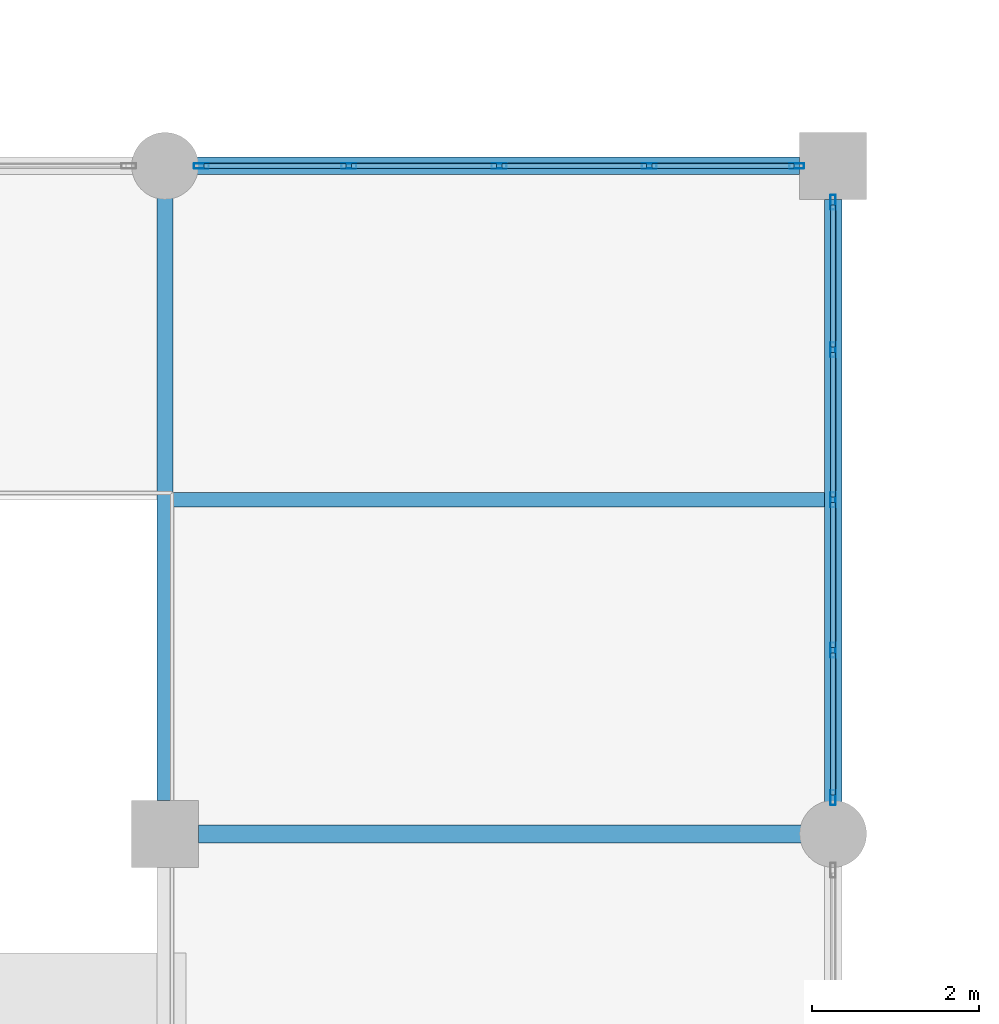
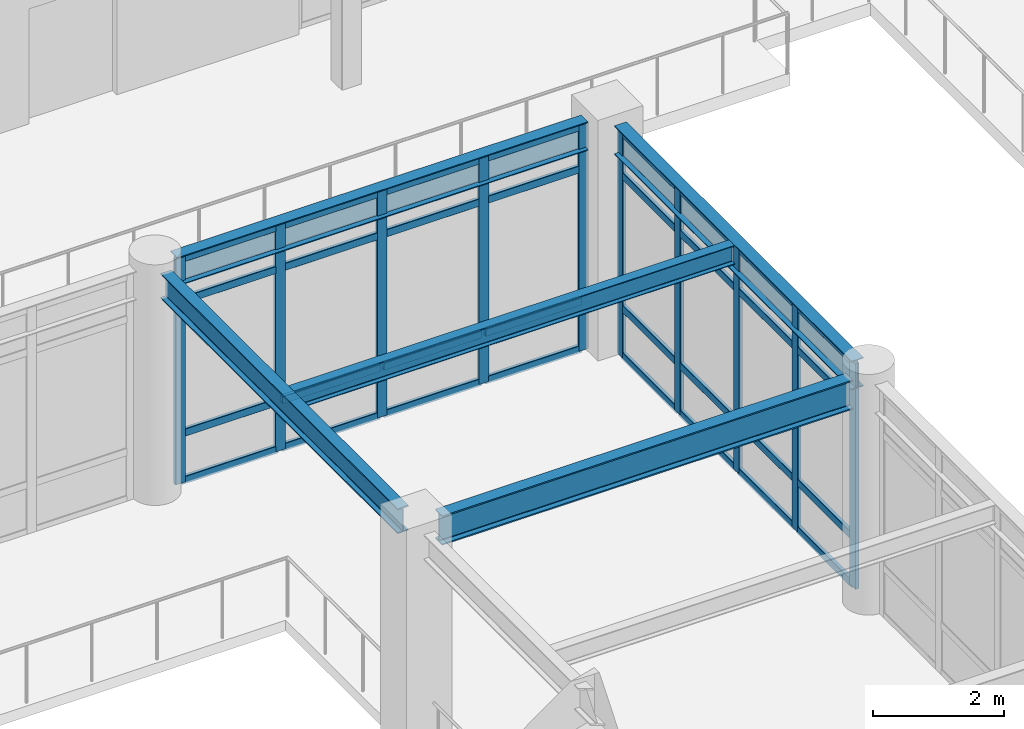
# One storey, part 54 of 111: 42 members, 5 beams, 2 elements without a shape of their own.
"""IFC4 building model written with IfcOpenShell, lengths in metres."""

from ifc_helpers import new_model, si_unit, direction, frame, origin, origin_2d, place, context, subcontext, project, spatial, hollow_rectangle, i_section, extrude, material, material_profile, profile_set, type_object, element, aggregate, save


model = new_model("IFC4")

# Units and contexts
model_context = context("Model", 3, precision=1e-05, world=origin(), true_north=direction((0.0, 1.0)))
body_context = subcontext(model_context, "Body", "Model", "MODEL_VIEW")
ifc_project = project(units=[si_unit("LENGTHUNIT", "METRE"), si_unit("AREAUNIT", "SQUARE_METRE"), si_unit("VOLUMEUNIT", "CUBIC_METRE"), si_unit("PLANEANGLEUNIT", "RADIAN"), si_unit("MASSUNIT", "GRAM", prefix="KILO")], contexts=[model_context])

# Site, building, storey
site_placement = place(None, origin())
site = spatial("IfcSite", under=ifc_project, at=site_placement, CompositionType="ELEMENT")
building_placement = place(site_placement, origin())
building = spatial("IfcBuilding", under=site, at=building_placement, Name="Solmirada Galleria", CompositionType="ELEMENT")
storey_placement = place(building_placement, frame((0.0, 0.0, 10.39990234375)))
storey = spatial("IfcBuildingStorey", under=building, at=storey_placement, Name="L02", CompositionType="ELEMENT", Elevation=10.39990234375)

# Beams
ifc_material_1 = material(Name="Steel S355 / ASTM A992 Grade 50", Category="steel")
ifc_material_profile_1 = material_profile(ifc_material_1, i_section(OverallWidth=0.194091796875, OverallDepth=0.468994140625, WebThickness=0.0126953125, FlangeThickness=0.0205078125, FilletRadius=0.013916015625, at=origin_2d()), Name="W18X71")
ifc_profile_set_1 = profile_set([ifc_material_profile_1], Name="Steel S355 / ASTM A992 Grade 50")
beam_type_1 = type_object("IfcBeamType", Name="BM-GIRD-W18B", PredefinedType="BEAM", material=ifc_profile_set_1)
beam_1_placement = place(storey_placement, frame((104.0, 64.39990234375, 4.065673828125), z_axis=(0.0, 1.0, 0.0), x_axis=(-1.0, 0.0, 0.0)))
element("IfcBeam", 1, at=beam_1_placement, inside=storey, type_object=beam_type_1, Name="Primary girder L03 Y(104, 64..72)", PredefinedType="BEAM", context=body_context, shape_type="SweptSolid", body=[
    extrude(i_section(OverallWidth=0.194091796875, OverallDepth=0.468994140625, WebThickness=0.0126953125, FlangeThickness=0.0205078125, FilletRadius=0.013916015625, at=origin_2d()), origin(), (0.0, 0.0, 1.0), 7.26416015625),
])
ifc_material_profile_2 = material_profile(ifc_material_1, i_section(OverallWidth=0.214111328125, OverallDepth=0.549072265625, WebThickness=0.0146484375, FlangeThickness=0.023681640625, FilletRadius=0.014892578125, at=origin_2d()), Name="W21X93")
ifc_profile_set_2 = profile_set([ifc_material_profile_2], Name="Steel S355 / ASTM A992 Grade 50")
beam_type_2 = type_object("IfcBeamType", Name="BM-GIRD-W21A", PredefinedType="BEAM", material=ifc_profile_set_2)
beam_2_placement = place(storey_placement, frame((104.39990234375, 64.0, 4.025634765625), z_axis=(1.0, 0.0, 0.0), x_axis=(0.0, 1.0, 0.0)))
element("IfcBeam", 2, at=beam_2_placement, inside=storey, type_object=beam_type_2, Name="Primary beam L03 X(104..112, 64)", PredefinedType="BEAM", context=body_context, shape_type="SweptSolid", body=[
    extrude(i_section(OverallWidth=0.214111328125, OverallDepth=0.549072265625, WebThickness=0.0146484375, FlangeThickness=0.023681640625, FilletRadius=0.014892578125, at=origin_2d()), origin(), (0.0, 0.0, 1.0), 7.26416015625),
])
ifc_material_profile_3 = material_profile(ifc_material_1, i_section(OverallWidth=0.2099609375, OverallDepth=0.537109375, WebThickness=0.010986328125, FlangeThickness=0.017333984375, FilletRadius=0.014892578125, at=origin_2d()), Name="W21X68")
ifc_profile_set_3 = profile_set([ifc_material_profile_3], Name="Steel S355 / ASTM A992 Grade 50")
beam_type_3 = type_object("IfcBeamType", Name="BM-GIRD-W21B", PredefinedType="BEAM", material=ifc_profile_set_3)
for number, where, z_axis, x_axis, name in (
    (3, (104.3359375, 72.0, 4.031494140625), (1.0, 0.0, 0.0), (0.0, 1.0, 0.0), "Primary beam L03 X(104..112, 72)"),
    (4, (112.0, 64.3359375, 4.031494140625), (0.0, 1.0, 0.0), (-1.0, 0.0, 0.0), "Primary girder L03 Y(112, 64..72)"),
):
    element("IfcBeam", number, at=place(storey_placement, frame(where, z_axis=z_axis, x_axis=x_axis)), inside=storey, type_object=beam_type_3, Name=name, PredefinedType="BEAM", context=body_context, shape_type="SweptSolid", body=[
        extrude(i_section(OverallWidth=0.2099609375, OverallDepth=0.537109375, WebThickness=0.010986328125, FlangeThickness=0.017333984375, FilletRadius=0.014892578125, at=origin_2d()), origin(), (0.0, 0.0, 1.0), 7.26416015625),
    ])
ifc_material_profile_4 = material_profile(ifc_material_1, i_section(OverallWidth=0.172119140625, OverallDepth=0.35791015625, WebThickness=0.0078125, FlangeThickness=0.01318359375, FilletRadius=0.011962890625, at=origin_2d()), Name="W14X38")
ifc_profile_set_4 = profile_set([ifc_material_profile_4], Name="Steel S355 / ASTM A992 Grade 50")
beam_type_4 = type_object("IfcBeamType", Name="BM-JST-W14A", PredefinedType="JOIST", material=ifc_profile_set_4)
beam_3_placement = place(storey_placement, frame((104.096923828125, 68.0, 4.12109375), z_axis=(1.0, 0.0, 0.0), x_axis=(0.0, 1.0, 0.0)))
element("IfcBeam", 5, at=beam_3_placement, inside=storey, type_object=beam_type_4, Name="Composite floor joist L03 (104..112, 68.0)", PredefinedType="JOIST", context=body_context, shape_type="SweptSolid", body=[
    extrude(i_section(OverallWidth=0.172119140625, OverallDepth=0.35791015625, WebThickness=0.0078125, FlangeThickness=0.01318359375, FilletRadius=0.011962890625, at=origin_2d()), origin(), (0.0, 0.0, 1.0), 7.798095703125),
])

# Curtain wall, members
ifc_material_2 = material(Name="Impact-resistant low-E double glazing", Category="glass")
curtain_wall_type = type_object("IfcCurtainWallType", Name="CW-FZ3-L02-B4-L072", PredefinedType="NOTDEFINED", material=ifc_material_2)
curtain_wall_1_placement = place(storey_placement, origin())
curtain_wall_1 = element("IfcCurtainWall", 6, at=curtain_wall_1_placement, inside=storey, type_object=curtain_wall_type, Name="Terrace and arcade storefront CW-L02-105", PredefinedType="NOTDEFINED")
ifc_material_3 = material(Name="Anodised aluminium framing", Category="aluminium")
ifc_material_profile_5 = material_profile(ifc_material_3, hollow_rectangle(XDim=0.06494140625, YDim=0.179931640625, WallThickness=0.00390625, InnerFilletRadius=0.00390625, OuterFilletRadius=0.008056640625, at=origin_2d()), Name="ALU-MULL-180X65")
ifc_profile_set_5 = profile_set([ifc_material_profile_5], Name="Anodised aluminium framing")
member_type_1 = type_object("IfcMemberType", Name="CW-MULL-180", PredefinedType="MULLION", material=ifc_profile_set_5)
member_1_placement = place(storey_placement, frame((104.4345703125, 72.0, 0.0), z_axis=(0.0, 0.0, 1.0), x_axis=(0.0, 1.0, 0.0)))
member_1 = element("IfcMember", 7, at=member_1_placement, type_object=member_type_1, Name="CW21 mullion 1", PredefinedType="MULLION", context=body_context, shape_type="SweptSolid", body=[
    extrude(hollow_rectangle(XDim=0.06494140625, YDim=0.179931640625, WallThickness=0.00390625, InnerFilletRadius=0.00390625, OuterFilletRadius=0.008056640625, at=origin_2d()), origin(), (0.0, 0.0, 1.0), 4.22021484375),
])
member_2_placement = place(storey_placement, frame((106.200927734375, 72.0, 0.0), z_axis=(0.0, 0.0, 1.0), x_axis=(0.0, 1.0, 0.0)))
member_2 = element("IfcMember", 8, at=member_2_placement, type_object=member_type_1, Name="CW21 mullion 2", PredefinedType="MULLION", context=body_context, shape_type="SweptSolid", body=[
    extrude(hollow_rectangle(XDim=0.06494140625, YDim=0.179931640625, WallThickness=0.00390625, InnerFilletRadius=0.00390625, OuterFilletRadius=0.008056640625, at=origin_2d()), origin(), (0.0, 0.0, 1.0), 4.22021484375),
])
member_3_placement = place(storey_placement, frame((108.0, 72.0, 0.0), z_axis=(0.0, 0.0, 1.0), x_axis=(0.0, 1.0, 0.0)))
member_3 = element("IfcMember", 9, at=member_3_placement, type_object=member_type_1, Name="CW21 mullion 3", PredefinedType="MULLION", context=body_context, shape_type="SweptSolid", body=[
    extrude(hollow_rectangle(XDim=0.06494140625, YDim=0.179931640625, WallThickness=0.00390625, InnerFilletRadius=0.00390625, OuterFilletRadius=0.008056640625, at=origin_2d()), origin(), (0.0, 0.0, 1.0), 4.22021484375),
])
member_4_placement = place(storey_placement, frame((109.799072265625, 72.0, 0.0), z_axis=(0.0, 0.0, 1.0), x_axis=(0.0, 1.0, 0.0)))
member_4 = element("IfcMember", 10, at=member_4_placement, type_object=member_type_1, Name="CW21 mullion 4", PredefinedType="MULLION", context=body_context, shape_type="SweptSolid", body=[
    extrude(hollow_rectangle(XDim=0.06494140625, YDim=0.179931640625, WallThickness=0.00390625, InnerFilletRadius=0.00390625, OuterFilletRadius=0.008056640625, at=origin_2d()), origin(), (0.0, 0.0, 1.0), 4.22021484375),
])
member_5_placement = place(storey_placement, frame((111.5654296875, 72.0, 0.0), z_axis=(0.0, 0.0, 1.0), x_axis=(0.0, 1.0, 0.0)))
member_5 = element("IfcMember", 11, at=member_5_placement, type_object=member_type_1, Name="CW21 mullion 5", PredefinedType="MULLION", context=body_context, shape_type="SweptSolid", body=[
    extrude(hollow_rectangle(XDim=0.06494140625, YDim=0.179931640625, WallThickness=0.00390625, InnerFilletRadius=0.00390625, OuterFilletRadius=0.008056640625, at=origin_2d()), origin(), (0.0, 0.0, 1.0), 4.22021484375),
])

curtain_wall_2_placement = place(storey_placement, origin())
curtain_wall_2 = element("IfcCurtainWall", 12, at=curtain_wall_2_placement, inside=storey, type_object=curtain_wall_type, Name="Terrace and arcade storefront CW-L02-106", PredefinedType="NOTDEFINED")
member_6_placement = place(storey_placement, frame((112.0, 71.5654296875, 0.0), z_axis=(0.0, 0.0, 1.0), x_axis=(1.0, 0.0, 0.0)))
member_6 = element("IfcMember", 13, at=member_6_placement, type_object=member_type_1, Name="CW21 mullion 1", PredefinedType="MULLION", context=body_context, shape_type="SweptSolid", body=[
    extrude(hollow_rectangle(XDim=0.06494140625, YDim=0.179931640625, WallThickness=0.00390625, InnerFilletRadius=0.00390625, OuterFilletRadius=0.008056640625, at=origin_2d()), origin(), (0.0, 0.0, 1.0), 4.22021484375),
])
member_7_placement = place(storey_placement, frame((112.0, 69.799072265625, 0.0), z_axis=(0.0, 0.0, 1.0), x_axis=(1.0, 0.0, 0.0)))
member_7 = element("IfcMember", 14, at=member_7_placement, type_object=member_type_1, Name="CW21 mullion 2", PredefinedType="MULLION", context=body_context, shape_type="SweptSolid", body=[
    extrude(hollow_rectangle(XDim=0.06494140625, YDim=0.179931640625, WallThickness=0.00390625, InnerFilletRadius=0.00390625, OuterFilletRadius=0.008056640625, at=origin_2d()), origin(), (0.0, 0.0, 1.0), 4.22021484375),
])
member_8_placement = place(storey_placement, frame((112.0, 68.0, 0.0), z_axis=(0.0, 0.0, 1.0), x_axis=(1.0, 0.0, 0.0)))
member_8 = element("IfcMember", 15, at=member_8_placement, type_object=member_type_1, Name="CW21 mullion 3", PredefinedType="MULLION", context=body_context, shape_type="SweptSolid", body=[
    extrude(hollow_rectangle(XDim=0.06494140625, YDim=0.179931640625, WallThickness=0.00390625, InnerFilletRadius=0.00390625, OuterFilletRadius=0.008056640625, at=origin_2d()), origin(), (0.0, 0.0, 1.0), 4.22021484375),
])
member_9_placement = place(storey_placement, frame((112.0, 66.200927734375, 0.0), z_axis=(0.0, 0.0, 1.0), x_axis=(1.0, 0.0, 0.0)))
member_9 = element("IfcMember", 16, at=member_9_placement, type_object=member_type_1, Name="CW21 mullion 4", PredefinedType="MULLION", context=body_context, shape_type="SweptSolid", body=[
    extrude(hollow_rectangle(XDim=0.06494140625, YDim=0.179931640625, WallThickness=0.00390625, InnerFilletRadius=0.00390625, OuterFilletRadius=0.008056640625, at=origin_2d()), origin(), (0.0, 0.0, 1.0), 4.22021484375),
])
member_10_placement = place(storey_placement, frame((112.0, 64.4345703125, 0.0), z_axis=(0.0, 0.0, 1.0), x_axis=(1.0, 0.0, 0.0)))
member_10 = element("IfcMember", 17, at=member_10_placement, type_object=member_type_1, Name="CW21 mullion 5", PredefinedType="MULLION", context=body_context, shape_type="SweptSolid", body=[
    extrude(hollow_rectangle(XDim=0.06494140625, YDim=0.179931640625, WallThickness=0.00390625, InnerFilletRadius=0.00390625, OuterFilletRadius=0.008056640625, at=origin_2d()), origin(), (0.0, 0.0, 1.0), 4.22021484375),
])

# Member
ifc_material_profile_6 = material_profile(ifc_material_3, hollow_rectangle(XDim=0.06494140625, YDim=0.139892578125, WallThickness=0.00341796875, InnerFilletRadius=0.00341796875, OuterFilletRadius=0.007080078125, at=origin_2d()), Name="ALU-TRAN-140X65")
ifc_profile_set_6 = profile_set([ifc_material_profile_6], Name="Anodised aluminium framing")
member_type_2 = type_object("IfcMemberType", Name="CW-TRAN-140", PredefinedType="USERDEFINED", material=ifc_profile_set_6)
member_11_placement = place(storey_placement, frame((104.467041015625, 72.0, 0.03271484375), z_axis=(1.0, 0.0, 0.0), x_axis=(0.0, 1.0, 0.0)))
member_11 = element("IfcMember", 18, at=member_11_placement, type_object=member_type_2, Name="CW21 transom 1.1", ObjectType="TRANSOM", PredefinedType="USERDEFINED", context=body_context, shape_type="SweptSolid", body=[
    extrude(hollow_rectangle(XDim=0.06494140625, YDim=0.139892578125, WallThickness=0.00341796875, InnerFilletRadius=0.00341796875, OuterFilletRadius=0.007080078125, at=origin_2d()), origin(), (0.0, 0.0, 1.0), 1.701416015625),
])

member_12_placement = place(storey_placement, frame((104.467041015625, 72.0, 0.920166015625), z_axis=(1.0, 0.0, 0.0), x_axis=(0.0, 1.0, 0.0)))
member_12 = element("IfcMember", 19, at=member_12_placement, type_object=member_type_2, Name="CW21 transom 1.2", ObjectType="TRANSOM", PredefinedType="USERDEFINED", context=body_context, shape_type="SweptSolid", body=[
    extrude(hollow_rectangle(XDim=0.06494140625, YDim=0.139892578125, WallThickness=0.00341796875, InnerFilletRadius=0.00341796875, OuterFilletRadius=0.007080078125, at=origin_2d()), origin(), (0.0, 0.0, 1.0), 1.701416015625),
])

member_13_placement = place(storey_placement, frame((104.467041015625, 72.0, 3.400146484375), z_axis=(1.0, 0.0, 0.0), x_axis=(0.0, 1.0, 0.0)))
member_13 = element("IfcMember", 20, at=member_13_placement, type_object=member_type_2, Name="CW21 transom 1.3", ObjectType="TRANSOM", PredefinedType="USERDEFINED", context=body_context, shape_type="SweptSolid", body=[
    extrude(hollow_rectangle(XDim=0.06494140625, YDim=0.139892578125, WallThickness=0.00341796875, InnerFilletRadius=0.00341796875, OuterFilletRadius=0.007080078125, at=origin_2d()), origin(), (0.0, 0.0, 1.0), 1.701416015625),
])

member_14_placement = place(storey_placement, frame((104.467041015625, 72.0, 4.1875), z_axis=(1.0, 0.0, 0.0), x_axis=(0.0, 1.0, 0.0)))
member_14 = element("IfcMember", 21, at=member_14_placement, type_object=member_type_2, Name="CW21 transom 1.4", ObjectType="TRANSOM", PredefinedType="USERDEFINED", context=body_context, shape_type="SweptSolid", body=[
    extrude(hollow_rectangle(XDim=0.06494140625, YDim=0.139892578125, WallThickness=0.00341796875, InnerFilletRadius=0.00341796875, OuterFilletRadius=0.007080078125, at=origin_2d()), origin(), (0.0, 0.0, 1.0), 1.701416015625),
])

member_15_placement = place(storey_placement, frame((106.2333984375, 72.0, 0.03271484375), z_axis=(1.0, 0.0, 0.0), x_axis=(0.0, 1.0, 0.0)))
member_15 = element("IfcMember", 22, at=member_15_placement, type_object=member_type_2, Name="CW21 transom 2.1", ObjectType="TRANSOM", PredefinedType="USERDEFINED", context=body_context, shape_type="SweptSolid", body=[
    extrude(hollow_rectangle(XDim=0.06494140625, YDim=0.139892578125, WallThickness=0.00341796875, InnerFilletRadius=0.00341796875, OuterFilletRadius=0.007080078125, at=origin_2d()), origin(), (0.0, 0.0, 1.0), 1.734130859375),
])

member_16_placement = place(storey_placement, frame((106.2333984375, 72.0, 0.920166015625), z_axis=(1.0, 0.0, 0.0), x_axis=(0.0, 1.0, 0.0)))
member_16 = element("IfcMember", 23, at=member_16_placement, type_object=member_type_2, Name="CW21 transom 2.2", ObjectType="TRANSOM", PredefinedType="USERDEFINED", context=body_context, shape_type="SweptSolid", body=[
    extrude(hollow_rectangle(XDim=0.06494140625, YDim=0.139892578125, WallThickness=0.00341796875, InnerFilletRadius=0.00341796875, OuterFilletRadius=0.007080078125, at=origin_2d()), origin(), (0.0, 0.0, 1.0), 1.734130859375),
])

member_17_placement = place(storey_placement, frame((106.2333984375, 72.0, 3.400146484375), z_axis=(1.0, 0.0, 0.0), x_axis=(0.0, 1.0, 0.0)))
member_17 = element("IfcMember", 24, at=member_17_placement, type_object=member_type_2, Name="CW21 transom 2.3", ObjectType="TRANSOM", PredefinedType="USERDEFINED", context=body_context, shape_type="SweptSolid", body=[
    extrude(hollow_rectangle(XDim=0.06494140625, YDim=0.139892578125, WallThickness=0.00341796875, InnerFilletRadius=0.00341796875, OuterFilletRadius=0.007080078125, at=origin_2d()), origin(), (0.0, 0.0, 1.0), 1.734130859375),
])

member_18_placement = place(storey_placement, frame((106.2333984375, 72.0, 4.1875), z_axis=(1.0, 0.0, 0.0), x_axis=(0.0, 1.0, 0.0)))
member_18 = element("IfcMember", 25, at=member_18_placement, type_object=member_type_2, Name="CW21 transom 2.4", ObjectType="TRANSOM", PredefinedType="USERDEFINED", context=body_context, shape_type="SweptSolid", body=[
    extrude(hollow_rectangle(XDim=0.06494140625, YDim=0.139892578125, WallThickness=0.00341796875, InnerFilletRadius=0.00341796875, OuterFilletRadius=0.007080078125, at=origin_2d()), origin(), (0.0, 0.0, 1.0), 1.734130859375),
])

member_19_placement = place(storey_placement, frame((108.032470703125, 72.0, 0.03271484375), z_axis=(1.0, 0.0, 0.0), x_axis=(0.0, 1.0, 0.0)))
member_19 = element("IfcMember", 26, at=member_19_placement, type_object=member_type_2, Name="CW21 transom 3.1", ObjectType="TRANSOM", PredefinedType="USERDEFINED", context=body_context, shape_type="SweptSolid", body=[
    extrude(hollow_rectangle(XDim=0.06494140625, YDim=0.139892578125, WallThickness=0.00341796875, InnerFilletRadius=0.00341796875, OuterFilletRadius=0.007080078125, at=origin_2d()), origin(), (0.0, 0.0, 1.0), 1.734130859375),
])

member_20_placement = place(storey_placement, frame((108.032470703125, 72.0, 0.920166015625), z_axis=(1.0, 0.0, 0.0), x_axis=(0.0, 1.0, 0.0)))
member_20 = element("IfcMember", 27, at=member_20_placement, type_object=member_type_2, Name="CW21 transom 3.2", ObjectType="TRANSOM", PredefinedType="USERDEFINED", context=body_context, shape_type="SweptSolid", body=[
    extrude(hollow_rectangle(XDim=0.06494140625, YDim=0.139892578125, WallThickness=0.00341796875, InnerFilletRadius=0.00341796875, OuterFilletRadius=0.007080078125, at=origin_2d()), origin(), (0.0, 0.0, 1.0), 1.734130859375),
])

member_21_placement = place(storey_placement, frame((108.032470703125, 72.0, 3.400146484375), z_axis=(1.0, 0.0, 0.0), x_axis=(0.0, 1.0, 0.0)))
member_21 = element("IfcMember", 28, at=member_21_placement, type_object=member_type_2, Name="CW21 transom 3.3", ObjectType="TRANSOM", PredefinedType="USERDEFINED", context=body_context, shape_type="SweptSolid", body=[
    extrude(hollow_rectangle(XDim=0.06494140625, YDim=0.139892578125, WallThickness=0.00341796875, InnerFilletRadius=0.00341796875, OuterFilletRadius=0.007080078125, at=origin_2d()), origin(), (0.0, 0.0, 1.0), 1.734130859375),
])

member_22_placement = place(storey_placement, frame((108.032470703125, 72.0, 4.1875), z_axis=(1.0, 0.0, 0.0), x_axis=(0.0, 1.0, 0.0)))
member_22 = element("IfcMember", 29, at=member_22_placement, type_object=member_type_2, Name="CW21 transom 3.4", ObjectType="TRANSOM", PredefinedType="USERDEFINED", context=body_context, shape_type="SweptSolid", body=[
    extrude(hollow_rectangle(XDim=0.06494140625, YDim=0.139892578125, WallThickness=0.00341796875, InnerFilletRadius=0.00341796875, OuterFilletRadius=0.007080078125, at=origin_2d()), origin(), (0.0, 0.0, 1.0), 1.734130859375),
])

member_23_placement = place(storey_placement, frame((109.83154296875, 72.0, 0.03271484375), z_axis=(1.0, 0.0, 0.0), x_axis=(0.0, 1.0, 0.0)))
member_23 = element("IfcMember", 30, at=member_23_placement, type_object=member_type_2, Name="CW21 transom 4.1", ObjectType="TRANSOM", PredefinedType="USERDEFINED", context=body_context, shape_type="SweptSolid", body=[
    extrude(hollow_rectangle(XDim=0.06494140625, YDim=0.139892578125, WallThickness=0.00341796875, InnerFilletRadius=0.00341796875, OuterFilletRadius=0.007080078125, at=origin_2d()), origin(), (0.0, 0.0, 1.0), 1.701416015625),
])

member_24_placement = place(storey_placement, frame((109.83154296875, 72.0, 0.920166015625), z_axis=(1.0, 0.0, 0.0), x_axis=(0.0, 1.0, 0.0)))
member_24 = element("IfcMember", 31, at=member_24_placement, type_object=member_type_2, Name="CW21 transom 4.2", ObjectType="TRANSOM", PredefinedType="USERDEFINED", context=body_context, shape_type="SweptSolid", body=[
    extrude(hollow_rectangle(XDim=0.06494140625, YDim=0.139892578125, WallThickness=0.00341796875, InnerFilletRadius=0.00341796875, OuterFilletRadius=0.007080078125, at=origin_2d()), origin(), (0.0, 0.0, 1.0), 1.701416015625),
])

member_25_placement = place(storey_placement, frame((109.83154296875, 72.0, 3.400146484375), z_axis=(1.0, 0.0, 0.0), x_axis=(0.0, 1.0, 0.0)))
member_25 = element("IfcMember", 32, at=member_25_placement, type_object=member_type_2, Name="CW21 transom 4.3", ObjectType="TRANSOM", PredefinedType="USERDEFINED", context=body_context, shape_type="SweptSolid", body=[
    extrude(hollow_rectangle(XDim=0.06494140625, YDim=0.139892578125, WallThickness=0.00341796875, InnerFilletRadius=0.00341796875, OuterFilletRadius=0.007080078125, at=origin_2d()), origin(), (0.0, 0.0, 1.0), 1.701416015625),
])

member_26_placement = place(storey_placement, frame((109.83154296875, 72.0, 4.1875), z_axis=(1.0, 0.0, 0.0), x_axis=(0.0, 1.0, 0.0)))
member_26 = element("IfcMember", 33, at=member_26_placement, type_object=member_type_2, Name="CW21 transom 4.4", ObjectType="TRANSOM", PredefinedType="USERDEFINED", context=body_context, shape_type="SweptSolid", body=[
    extrude(hollow_rectangle(XDim=0.06494140625, YDim=0.139892578125, WallThickness=0.00341796875, InnerFilletRadius=0.00341796875, OuterFilletRadius=0.007080078125, at=origin_2d()), origin(), (0.0, 0.0, 1.0), 1.701416015625),
])

aggregate(curtain_wall_1, [member_1, member_2, member_3, member_4, member_5, member_11, member_12, member_13, member_14, member_15, member_16, member_17, member_18, member_19, member_20, member_21, member_22, member_23, member_24, member_25, member_26])

member_27_placement = place(storey_placement, frame((112.0, 71.532958984375, 0.03271484375), z_axis=(0.0, -1.0, 0.0), x_axis=(1.0, 0.0, 0.0)))
member_27 = element("IfcMember", 34, at=member_27_placement, type_object=member_type_2, Name="CW21 transom 1.1", ObjectType="TRANSOM", PredefinedType="USERDEFINED", context=body_context, shape_type="SweptSolid", body=[
    extrude(hollow_rectangle(XDim=0.06494140625, YDim=0.139892578125, WallThickness=0.00341796875, InnerFilletRadius=0.00341796875, OuterFilletRadius=0.007080078125, at=origin_2d()), origin(), (0.0, 0.0, 1.0), 1.701416015625),
])

member_28_placement = place(storey_placement, frame((112.0, 71.532958984375, 0.920166015625), z_axis=(0.0, -1.0, 0.0), x_axis=(1.0, 0.0, 0.0)))
member_28 = element("IfcMember", 35, at=member_28_placement, type_object=member_type_2, Name="CW21 transom 1.2", ObjectType="TRANSOM", PredefinedType="USERDEFINED", context=body_context, shape_type="SweptSolid", body=[
    extrude(hollow_rectangle(XDim=0.06494140625, YDim=0.139892578125, WallThickness=0.00341796875, InnerFilletRadius=0.00341796875, OuterFilletRadius=0.007080078125, at=origin_2d()), origin(), (0.0, 0.0, 1.0), 1.701416015625),
])

member_29_placement = place(storey_placement, frame((112.0, 71.532958984375, 3.400146484375), z_axis=(0.0, -1.0, 0.0), x_axis=(1.0, 0.0, 0.0)))
member_29 = element("IfcMember", 36, at=member_29_placement, type_object=member_type_2, Name="CW21 transom 1.3", ObjectType="TRANSOM", PredefinedType="USERDEFINED", context=body_context, shape_type="SweptSolid", body=[
    extrude(hollow_rectangle(XDim=0.06494140625, YDim=0.139892578125, WallThickness=0.00341796875, InnerFilletRadius=0.00341796875, OuterFilletRadius=0.007080078125, at=origin_2d()), origin(), (0.0, 0.0, 1.0), 1.701416015625),
])

member_30_placement = place(storey_placement, frame((112.0, 71.532958984375, 4.1875), z_axis=(0.0, -1.0, 0.0), x_axis=(1.0, 0.0, 0.0)))
member_30 = element("IfcMember", 37, at=member_30_placement, type_object=member_type_2, Name="CW21 transom 1.4", ObjectType="TRANSOM", PredefinedType="USERDEFINED", context=body_context, shape_type="SweptSolid", body=[
    extrude(hollow_rectangle(XDim=0.06494140625, YDim=0.139892578125, WallThickness=0.00341796875, InnerFilletRadius=0.00341796875, OuterFilletRadius=0.007080078125, at=origin_2d()), origin(), (0.0, 0.0, 1.0), 1.701416015625),
])

member_31_placement = place(storey_placement, frame((112.0, 69.7666015625, 0.03271484375), z_axis=(0.0, -1.0, 0.0), x_axis=(1.0, 0.0, 0.0)))
member_31 = element("IfcMember", 38, at=member_31_placement, type_object=member_type_2, Name="CW21 transom 2.1", ObjectType="TRANSOM", PredefinedType="USERDEFINED", context=body_context, shape_type="SweptSolid", body=[
    extrude(hollow_rectangle(XDim=0.06494140625, YDim=0.139892578125, WallThickness=0.00341796875, InnerFilletRadius=0.00341796875, OuterFilletRadius=0.007080078125, at=origin_2d()), origin(), (0.0, 0.0, 1.0), 1.734130859375),
])

member_32_placement = place(storey_placement, frame((112.0, 69.7666015625, 0.920166015625), z_axis=(0.0, -1.0, 0.0), x_axis=(1.0, 0.0, 0.0)))
member_32 = element("IfcMember", 39, at=member_32_placement, type_object=member_type_2, Name="CW21 transom 2.2", ObjectType="TRANSOM", PredefinedType="USERDEFINED", context=body_context, shape_type="SweptSolid", body=[
    extrude(hollow_rectangle(XDim=0.06494140625, YDim=0.139892578125, WallThickness=0.00341796875, InnerFilletRadius=0.00341796875, OuterFilletRadius=0.007080078125, at=origin_2d()), origin(), (0.0, 0.0, 1.0), 1.734130859375),
])

member_33_placement = place(storey_placement, frame((112.0, 69.7666015625, 3.400146484375), z_axis=(0.0, -1.0, 0.0), x_axis=(1.0, 0.0, 0.0)))
member_33 = element("IfcMember", 40, at=member_33_placement, type_object=member_type_2, Name="CW21 transom 2.3", ObjectType="TRANSOM", PredefinedType="USERDEFINED", context=body_context, shape_type="SweptSolid", body=[
    extrude(hollow_rectangle(XDim=0.06494140625, YDim=0.139892578125, WallThickness=0.00341796875, InnerFilletRadius=0.00341796875, OuterFilletRadius=0.007080078125, at=origin_2d()), origin(), (0.0, 0.0, 1.0), 1.734130859375),
])

member_34_placement = place(storey_placement, frame((112.0, 69.7666015625, 4.1875), z_axis=(0.0, -1.0, 0.0), x_axis=(1.0, 0.0, 0.0)))
member_34 = element("IfcMember", 41, at=member_34_placement, type_object=member_type_2, Name="CW21 transom 2.4", ObjectType="TRANSOM", PredefinedType="USERDEFINED", context=body_context, shape_type="SweptSolid", body=[
    extrude(hollow_rectangle(XDim=0.06494140625, YDim=0.139892578125, WallThickness=0.00341796875, InnerFilletRadius=0.00341796875, OuterFilletRadius=0.007080078125, at=origin_2d()), origin(), (0.0, 0.0, 1.0), 1.734130859375),
])

member_35_placement = place(storey_placement, frame((112.0, 67.967529296875, 0.03271484375), z_axis=(0.0, -1.0, 0.0), x_axis=(1.0, 0.0, 0.0)))
member_35 = element("IfcMember", 42, at=member_35_placement, type_object=member_type_2, Name="CW21 transom 3.1", ObjectType="TRANSOM", PredefinedType="USERDEFINED", context=body_context, shape_type="SweptSolid", body=[
    extrude(hollow_rectangle(XDim=0.06494140625, YDim=0.139892578125, WallThickness=0.00341796875, InnerFilletRadius=0.00341796875, OuterFilletRadius=0.007080078125, at=origin_2d()), origin(), (0.0, 0.0, 1.0), 1.734130859375),
])

member_36_placement = place(storey_placement, frame((112.0, 67.967529296875, 0.920166015625), z_axis=(0.0, -1.0, 0.0), x_axis=(1.0, 0.0, 0.0)))
member_36 = element("IfcMember", 43, at=member_36_placement, type_object=member_type_2, Name="CW21 transom 3.2", ObjectType="TRANSOM", PredefinedType="USERDEFINED", context=body_context, shape_type="SweptSolid", body=[
    extrude(hollow_rectangle(XDim=0.06494140625, YDim=0.139892578125, WallThickness=0.00341796875, InnerFilletRadius=0.00341796875, OuterFilletRadius=0.007080078125, at=origin_2d()), origin(), (0.0, 0.0, 1.0), 1.734130859375),
])

member_37_placement = place(storey_placement, frame((112.0, 67.967529296875, 3.400146484375), z_axis=(0.0, -1.0, 0.0), x_axis=(1.0, 0.0, 0.0)))
member_37 = element("IfcMember", 44, at=member_37_placement, type_object=member_type_2, Name="CW21 transom 3.3", ObjectType="TRANSOM", PredefinedType="USERDEFINED", context=body_context, shape_type="SweptSolid", body=[
    extrude(hollow_rectangle(XDim=0.06494140625, YDim=0.139892578125, WallThickness=0.00341796875, InnerFilletRadius=0.00341796875, OuterFilletRadius=0.007080078125, at=origin_2d()), origin(), (0.0, 0.0, 1.0), 1.734130859375),
])

member_38_placement = place(storey_placement, frame((112.0, 67.967529296875, 4.1875), z_axis=(0.0, -1.0, 0.0), x_axis=(1.0, 0.0, 0.0)))
member_38 = element("IfcMember", 45, at=member_38_placement, type_object=member_type_2, Name="CW21 transom 3.4", ObjectType="TRANSOM", PredefinedType="USERDEFINED", context=body_context, shape_type="SweptSolid", body=[
    extrude(hollow_rectangle(XDim=0.06494140625, YDim=0.139892578125, WallThickness=0.00341796875, InnerFilletRadius=0.00341796875, OuterFilletRadius=0.007080078125, at=origin_2d()), origin(), (0.0, 0.0, 1.0), 1.734130859375),
])

member_39_placement = place(storey_placement, frame((112.0, 66.16845703125, 0.03271484375), z_axis=(0.0, -1.0, 0.0), x_axis=(1.0, 0.0, 0.0)))
member_39 = element("IfcMember", 46, at=member_39_placement, type_object=member_type_2, Name="CW21 transom 4.1", ObjectType="TRANSOM", PredefinedType="USERDEFINED", context=body_context, shape_type="SweptSolid", body=[
    extrude(hollow_rectangle(XDim=0.06494140625, YDim=0.139892578125, WallThickness=0.00341796875, InnerFilletRadius=0.00341796875, OuterFilletRadius=0.007080078125, at=origin_2d()), origin(), (0.0, 0.0, 1.0), 1.701416015625),
])

member_40_placement = place(storey_placement, frame((112.0, 66.16845703125, 0.920166015625), z_axis=(0.0, -1.0, 0.0), x_axis=(1.0, 0.0, 0.0)))
member_40 = element("IfcMember", 47, at=member_40_placement, type_object=member_type_2, Name="CW21 transom 4.2", ObjectType="TRANSOM", PredefinedType="USERDEFINED", context=body_context, shape_type="SweptSolid", body=[
    extrude(hollow_rectangle(XDim=0.06494140625, YDim=0.139892578125, WallThickness=0.00341796875, InnerFilletRadius=0.00341796875, OuterFilletRadius=0.007080078125, at=origin_2d()), origin(), (0.0, 0.0, 1.0), 1.701416015625),
])

member_41_placement = place(storey_placement, frame((112.0, 66.16845703125, 3.400146484375), z_axis=(0.0, -1.0, 0.0), x_axis=(1.0, 0.0, 0.0)))
member_41 = element("IfcMember", 48, at=member_41_placement, type_object=member_type_2, Name="CW21 transom 4.3", ObjectType="TRANSOM", PredefinedType="USERDEFINED", context=body_context, shape_type="SweptSolid", body=[
    extrude(hollow_rectangle(XDim=0.06494140625, YDim=0.139892578125, WallThickness=0.00341796875, InnerFilletRadius=0.00341796875, OuterFilletRadius=0.007080078125, at=origin_2d()), origin(), (0.0, 0.0, 1.0), 1.701416015625),
])

member_42_placement = place(storey_placement, frame((112.0, 66.16845703125, 4.1875), z_axis=(0.0, -1.0, 0.0), x_axis=(1.0, 0.0, 0.0)))
member_42 = element("IfcMember", 49, at=member_42_placement, type_object=member_type_2, Name="CW21 transom 4.4", ObjectType="TRANSOM", PredefinedType="USERDEFINED", context=body_context, shape_type="SweptSolid", body=[
    extrude(hollow_rectangle(XDim=0.06494140625, YDim=0.139892578125, WallThickness=0.00341796875, InnerFilletRadius=0.00341796875, OuterFilletRadius=0.007080078125, at=origin_2d()), origin(), (0.0, 0.0, 1.0), 1.701416015625),
])

aggregate(curtain_wall_2, [member_6, member_7, member_8, member_9, member_10, member_27, member_28, member_29, member_30, member_31, member_32, member_33, member_34, member_35, member_36, member_37, member_38, member_39, member_40, member_41, member_42])

save(model, "model.ifc")
